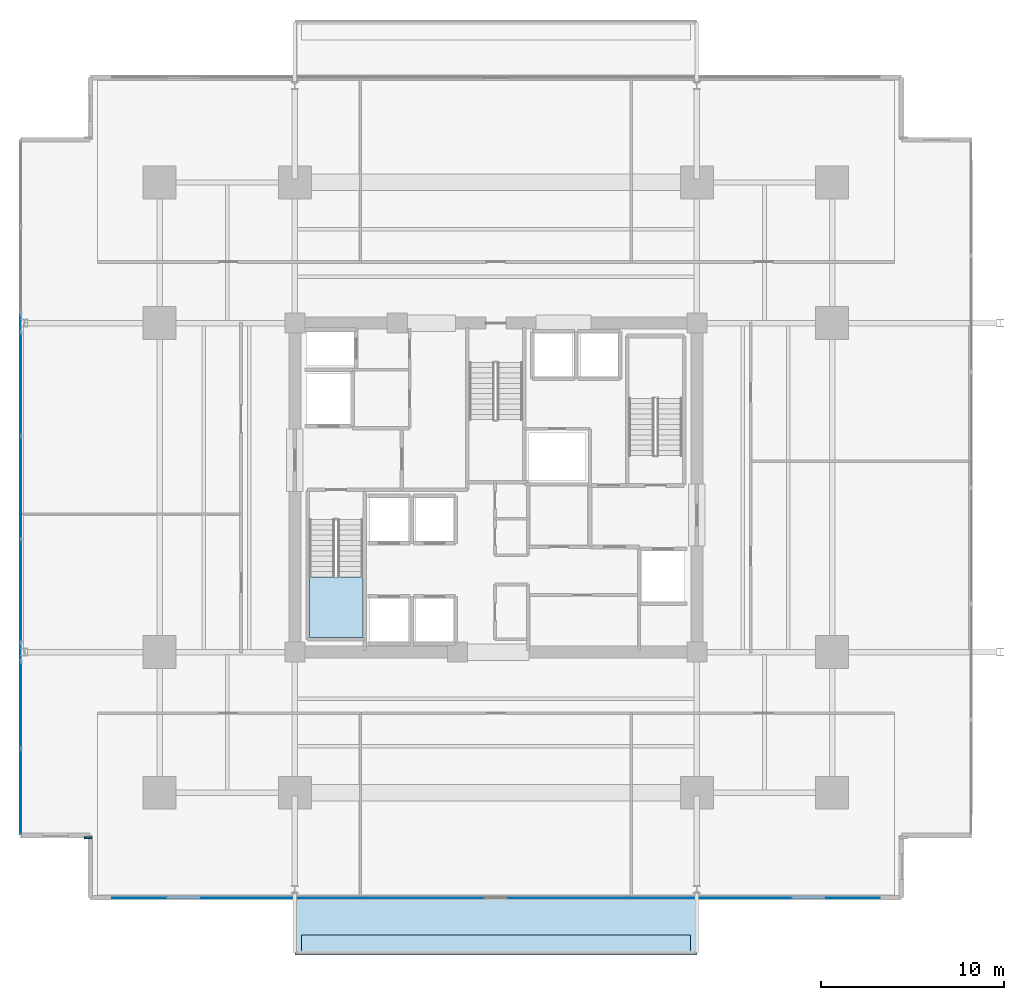
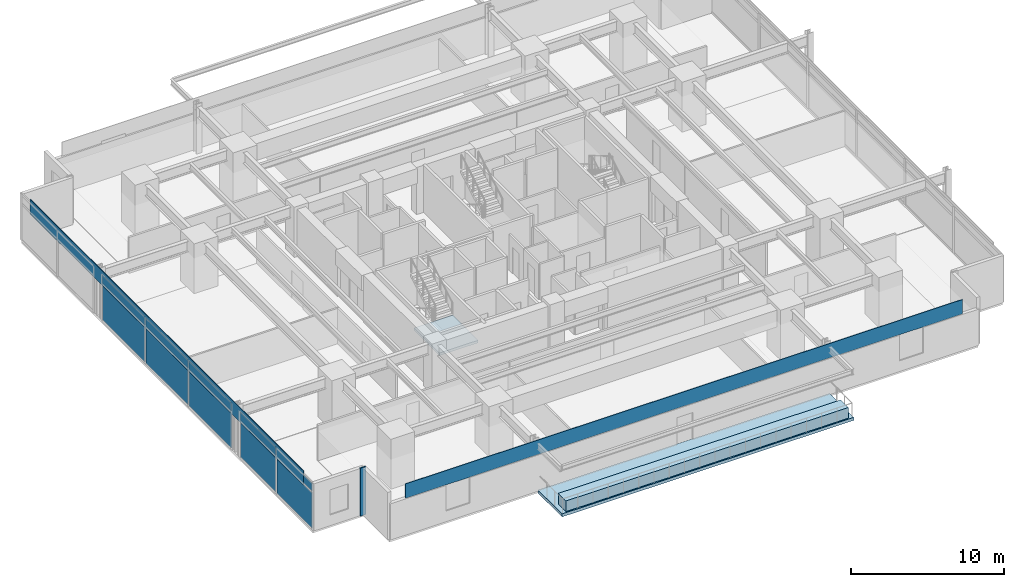
# One storey, part 14 of 25: 13 plates, 3 slabs, 3 elements without a shape of their own.
"""IFC4 building model written with IfcOpenShell, lengths in metres."""

from ifc_helpers import new_model, si_unit, direction, frame, origin, origin_2d, place, context, subcontext, project, spatial, polyline, rectangle, outline, extrude, material, layer, layer_set, type_object, element, aggregate, save


model = new_model("IFC4")

# Units and contexts
model_context = context("Model", 3, precision=1e-05, world=origin(), true_north=direction((0.0, 1.0)))
body_context = subcontext(model_context, "Body", "Model", "MODEL_VIEW")
ifc_project = project(units=[si_unit("LENGTHUNIT", "METRE"), si_unit("AREAUNIT", "SQUARE_METRE"), si_unit("VOLUMEUNIT", "CUBIC_METRE"), si_unit("PLANEANGLEUNIT", "RADIAN"), si_unit("MASSUNIT", "GRAM", prefix="KILO")], contexts=[model_context])

# Site, building, storey
site_placement = place(None, origin())
site = spatial("IfcSite", under=ifc_project, at=site_placement, CompositionType="ELEMENT")
building_placement = place(site_placement, origin())
building = spatial("IfcBuilding", under=site, at=building_placement, Name="Kovane Verandah Tower", CompositionType="ELEMENT")
storey_placement = place(building_placement, frame((0.0, 0.0, 67.60009765625)))
storey = spatial("IfcBuildingStorey", under=building, at=storey_placement, Name="L15", CompositionType="ELEMENT", Elevation=67.60009765625)

# Curtain wall, plates
ifc_material_1 = material(Name="Champagne Anodised Aluminium Frame with Low-E Clear Laminated Glass", Category="aluminium")
curtain_wall_type = type_object("IfcCurtainWallType", Name="CW-SYS-02-LOW", PredefinedType="NOTDEFINED", material=ifc_material_1)
curtain_wall_1_placement = place(storey_placement, origin())
curtain_wall_1 = element("IfcCurtainWall", 1, at=curtain_wall_1_placement, inside=storey, type_object=curtain_wall_type, Name="L15 W Unitised Curtain Wall-2", PredefinedType="NOTDEFINED")
ifc_material_2 = material(Name="Pale Champagne Anodised Aluminium Insulated Spandrel", Category="aluminium")
ifc_layer_1 = layer(ifc_material_2, 0.0400390625)
ifc_layer_set_1 = layer_set([ifc_layer_1], Name="Pale Champagne Anodised Aluminium Insulated Spandrel")
plate_type_1 = type_object("IfcPlateType", Name="PL-CW-SPD-40", PredefinedType="SHEET", material=ifc_layer_set_1)
plate_1_placement = place(storey_placement, frame((13.998779296875, 33.1533203125, 3.02978515625), z_axis=(0.0, 0.0, 1.0), x_axis=(0.0, -1.0, 0.0)))
plate_1 = element("IfcPlate", 2, at=plate_1_placement, type_object=plate_type_1, Name="L15 W Unitised Curtain Wall-2 Spandrel Panel 1", PredefinedType="SHEET", context=body_context, shape_type="SweptSolid", body=[
    extrude(rectangle(XDim=5.51318359375, YDim=0.0400390625, at=origin_2d()), origin(), (0.0, 0.0, 1.0), 0.639892578125),
])
plate_2_placement = place(storey_placement, frame((13.998779296875, 27.5, 3.02978515625), z_axis=(0.0, 0.0, 1.0), x_axis=(0.0, -1.0, 0.0)))
plate_2 = element("IfcPlate", 3, at=plate_2_placement, type_object=plate_type_1, Name="L15 W Unitised Curtain Wall-2 Spandrel Panel 2", PredefinedType="SHEET", context=body_context, shape_type="SweptSolid", body=[
    extrude(rectangle(XDim=5.51318359375, YDim=0.0400390625, at=origin_2d()), origin(), (0.0, 0.0, 1.0), 0.639892578125),
])
plate_3_placement = place(storey_placement, frame((13.998779296875, 21.8466796875, 3.02978515625), z_axis=(0.0, 0.0, 1.0), x_axis=(0.0, -1.0, 0.0)))
plate_3 = element("IfcPlate", 4, at=plate_3_placement, type_object=plate_type_1, Name="L15 W Unitised Curtain Wall-2 Spandrel Panel 3", PredefinedType="SHEET", context=body_context, shape_type="SweptSolid", body=[
    extrude(rectangle(XDim=5.51318359375, YDim=0.0400390625, at=origin_2d()), origin(), (0.0, 0.0, 1.0), 0.639892578125),
])

curtain_wall_2_placement = place(storey_placement, origin())
curtain_wall_2 = element("IfcCurtainWall", 5, at=curtain_wall_2_placement, inside=storey, type_object=curtain_wall_type, Name="L15 W Unitised Curtain Wall-3", PredefinedType="NOTDEFINED")
plate_4_placement = place(storey_placement, frame((13.998779296875, 15.599853515625, 3.02978515625), z_axis=(0.0, 0.0, 1.0), x_axis=(0.0, -1.0, 0.0)))
plate_4 = element("IfcPlate", 6, at=plate_4_placement, type_object=plate_type_1, Name="L15 W Unitised Curtain Wall-3 Spandrel Panel 1", PredefinedType="SHEET", context=body_context, shape_type="SweptSolid", body=[
    extrude(rectangle(XDim=4.620361328125, YDim=0.0400390625, at=origin_2d()), origin(), (0.0, 0.0, 1.0), 0.639892578125),
])
plate_5_placement = place(storey_placement, frame((13.998779296875, 10.83935546875, 3.02978515625), z_axis=(0.0, 0.0, 1.0), x_axis=(0.0, -1.0, 0.0)))
plate_5 = element("IfcPlate", 7, at=plate_5_placement, type_object=plate_type_1, Name="L15 W Unitised Curtain Wall-3 Spandrel Panel 2", PredefinedType="SHEET", context=body_context, shape_type="SweptSolid", body=[
    extrude(rectangle(XDim=4.620361328125, YDim=0.0400390625, at=origin_2d()), origin(), (0.0, 0.0, 1.0), 0.639892578125),
])

# Plate
ifc_material_3 = material(Name="Clear Low-E Laminated Double Glazing", Category="glass")
ifc_layer_2 = layer(ifc_material_3, 0.031982421875)
ifc_layer_set_2 = layer_set([ifc_layer_2], Name="Clear Low-E Laminated Double Glazing")
plate_type_2 = type_object("IfcPlateType", Name="PL-CW-VIS-32", PredefinedType="CURTAIN_PANEL", material=ifc_layer_set_2)
plate_6_placement = place(storey_placement, frame((13.998779296875, 33.1533203125, 0.099853515625), z_axis=(0.0, 0.0, 1.0), x_axis=(0.0, -1.0, 0.0)))
plate_6 = element("IfcPlate", 8, at=plate_6_placement, type_object=plate_type_2, Name="L15 W Unitised Curtain Wall-2 Vision Panel 1", PredefinedType="CURTAIN_PANEL", context=body_context, shape_type="SweptSolid", body=[
    extrude(rectangle(XDim=5.51318359375, YDim=0.031982421875, at=origin_2d()), origin(), (0.0, 0.0, 1.0), 2.830078125),
])

plate_7_placement = place(storey_placement, frame((13.998779296875, 27.5, 0.099853515625), z_axis=(0.0, 0.0, 1.0), x_axis=(0.0, -1.0, 0.0)))
plate_7 = element("IfcPlate", 9, at=plate_7_placement, type_object=plate_type_2, Name="L15 W Unitised Curtain Wall-2 Vision Panel 2", PredefinedType="CURTAIN_PANEL", context=body_context, shape_type="SweptSolid", body=[
    extrude(rectangle(XDim=5.51318359375, YDim=0.031982421875, at=origin_2d()), origin(), (0.0, 0.0, 1.0), 2.830078125),
])

plate_8_placement = place(storey_placement, frame((13.998779296875, 21.8466796875, 0.099853515625), z_axis=(0.0, 0.0, 1.0), x_axis=(0.0, -1.0, 0.0)))
plate_8 = element("IfcPlate", 10, at=plate_8_placement, type_object=plate_type_2, Name="L15 W Unitised Curtain Wall-2 Vision Panel 3", PredefinedType="CURTAIN_PANEL", context=body_context, shape_type="SweptSolid", body=[
    extrude(rectangle(XDim=5.51318359375, YDim=0.031982421875, at=origin_2d()), origin(), (0.0, 0.0, 1.0), 2.830078125),
])

aggregate(curtain_wall_1, [plate_6, plate_1, plate_7, plate_2, plate_8, plate_3])

plate_9_placement = place(storey_placement, frame((13.998779296875, 15.599853515625, 0.099853515625), z_axis=(0.0, 0.0, 1.0), x_axis=(0.0, -1.0, 0.0)))
plate_9 = element("IfcPlate", 11, at=plate_9_placement, type_object=plate_type_2, Name="L15 W Unitised Curtain Wall-3 Vision Panel 1", PredefinedType="CURTAIN_PANEL", context=body_context, shape_type="SweptSolid", body=[
    extrude(rectangle(XDim=4.620361328125, YDim=0.031982421875, at=origin_2d()), origin(), (0.0, 0.0, 1.0), 2.830078125),
])

plate_10_placement = place(storey_placement, frame((13.998779296875, 10.83935546875, 0.099853515625), z_axis=(0.0, 0.0, 1.0), x_axis=(0.0, -1.0, 0.0)))
plate_10 = element("IfcPlate", 12, at=plate_10_placement, type_object=plate_type_2, Name="L15 W Unitised Curtain Wall-3 Vision Panel 2", PredefinedType="CURTAIN_PANEL", context=body_context, shape_type="SweptSolid", body=[
    extrude(rectangle(XDim=4.620361328125, YDim=0.031982421875, at=origin_2d()), origin(), (0.0, 0.0, 1.0), 2.830078125),
])

aggregate(curtain_wall_2, [plate_9, plate_4, plate_10, plate_5])

# Plates
ifc_material_4 = material(Name="Timber-Toned Subtropical Aluminium Vertical Blade", Category="wood")
ifc_layer_3 = layer(ifc_material_4, 0.090087890625)
ifc_layer_set_3 = layer_set([ifc_layer_3], Name="Timber-Toned Subtropical Aluminium Vertical Blade")
plate_type_3 = type_object("IfcPlateType", Name="PL-FIN-90", PredefinedType="USERDEFINED", material=ifc_layer_set_3)
plate_11_placement = place(storey_placement, frame((17.678955078125, 8.339111328125, -0.02001953125), z_axis=(0.0, 0.0, 1.0), x_axis=(1.0, 0.0, 0.0)))
element("IfcPlate", 13, at=plate_11_placement, inside=storey, type_object=plate_type_3, Name="L15 SW Timber-Toned Vertical Corner Fin", ObjectType="FIN", PredefinedType="USERDEFINED", context=body_context, shape_type="SweptSolid", body=[
    extrude(rectangle(XDim=0.419921875, YDim=0.090087890625, at=origin_2d()), origin(), (0.0, 0.0, 1.0), 3.820068359375),
])
ifc_material_5 = material(Name="Perforated Pale Champagne Anodised Aluminium Solar Screen", Category="aluminium")
ifc_layer_4 = layer(ifc_material_5, 0.050048828125)
ifc_layer_set_4 = layer_set([ifc_layer_4], Name="Perforated Pale Champagne Anodised Aluminium Solar Screen")
plate_type_4 = type_object("IfcPlateType", Name="PL-SCREEN-50", PredefinedType="USERDEFINED", material=ifc_layer_set_4)
plate_12_placement = place(storey_placement, frame((40.0, 5.044189453125, 2.85986328125), z_axis=(0.0, 0.0, 1.0), x_axis=(1.0, 0.0, 0.0)))
element("IfcPlate", 14, at=plate_12_placement, inside=storey, type_object=plate_type_4, Name="L15 S Perforated Champagne-Gold Solar Screen", ObjectType="SCREEN", PredefinedType="USERDEFINED", context=body_context, shape_type="SweptSolid", body=[
    extrude(rectangle(XDim=42.001953125, YDim=0.050048828125, at=origin_2d()), origin(), (0.0, 0.0, 1.0), 1.14990234375),
])
plate_13_placement = place(storey_placement, frame((13.98388671875, 27.5, 2.85986328125), z_axis=(0.0, 0.0, 1.0), x_axis=(0.0, -1.0, 0.0)))
element("IfcPlate", 15, at=plate_13_placement, inside=storey, type_object=plate_type_4, Name="L15 W Perforated Champagne-Gold Solar Screen", ObjectType="SCREEN", PredefinedType="USERDEFINED", context=body_context, shape_type="SweptSolid", body=[
    extrude(rectangle(XDim=35.681884765625, YDim=0.050048828125, at=origin_2d()), origin(), (0.0, 0.0, 1.0), 1.14990234375),
])

# Slab
ifc_material_6 = material(Name="Concrete C45/55", Category="concrete")
ifc_layer_5 = layer(ifc_material_6, 0.239990234375)
ifc_layer_set_5 = layer_set([ifc_layer_5], Name="Concrete C45/55")
slab_type_1 = type_object("IfcSlabType", Name="SL-BALC-240", PredefinedType="FLOOR", material=ifc_layer_set_5)
slab_1_placement = place(storey_placement, frame((0.0, 0.0, -0.239990234375)))
element("IfcSlab", 16, at=slab_1_placement, inside=storey, type_object=slab_type_1, Name="L15 S Planted Verandah Balcony Slab", PredefinedType="FLOOR", context=body_context, shape_type="SweptSolid", body=[
    extrude(outline(polyline([(29.0, 1.9091796875), (51.0, 1.9091796875), (51.0, 5.05908203125), (29.0, 5.05908203125), (29.0, 1.9091796875)])), origin(), (0.0, 0.0, 1.0), 0.239990234375),
])

# Stair, slab
stair_type = type_object("IfcStairType", Name="ST-CORE-1380", PredefinedType="HALF_TURN_STAIR", material=ifc_material_6)
stair_placement = place(storey_placement, origin())
stair = element("IfcStair", 17, at=stair_placement, inside=storey, type_object=stair_type, Name="L15 Exit Stair ST-01", PredefinedType="HALF_TURN_STAIR")
ifc_layer_6 = layer(ifc_material_6, 0.199951171875)
ifc_layer_set_6 = layer_set([ifc_layer_6], Name="Concrete C45/55")
slab_type_2 = type_object("IfcSlabType", Name="SL-LAND-200", PredefinedType="LANDING", material=ifc_layer_set_6)
slab_2_placement = place(storey_placement, frame((0.0, 0.0, 1.7998046875)))
slab_2 = element("IfcSlab", 18, at=slab_2_placement, type_object=slab_type_2, Name="ST-01 landing 1", PredefinedType="LANDING", context=body_context, shape_type="SweptSolid", body=[
    extrude(outline(polyline([(29.800048828125, 22.614990234375), (29.800048828125, 19.300048828125), (32.719970703125, 19.300048828125), (32.719970703125, 22.614990234375), (29.800048828125, 22.614990234375)])), origin(), (0.0, 0.0, 1.0), 0.2001953125),
])
aggregate(stair, [slab_2])

# Slab
ifc_material_7 = material(Name="Architectural Precast Concrete C45/55 Planter Trough", Category="concrete")
ifc_layer_7 = layer(ifc_material_7, 0.219970703125)
ifc_layer_set_7 = layer_set([ifc_layer_7], Name="Architectural Precast Concrete C45/55 Planter Trough")
slab_type_3 = type_object("IfcSlabType", Name="SL-PLANTER-220", PredefinedType="USERDEFINED", material=ifc_layer_set_7)
slab_3_placement = place(storey_placement, origin())
element("IfcSlab", 19, at=slab_3_placement, inside=storey, type_object=slab_type_3, Name="L15 S Structural Tree Planter", ObjectType="PLANTER", PredefinedType="USERDEFINED", context=body_context, shape_type="SweptSolid", body=[
    extrude(outline(polyline([(29.35009765625, 2.00927734375), (50.64990234375, 2.00927734375), (50.64990234375, 3.00927734375), (29.35009765625, 3.00927734375), (29.35009765625, 2.00927734375)])), origin(), (0.0, 0.0, 1.0), 0.849853515625),
])

save(model, "model.ifc")
